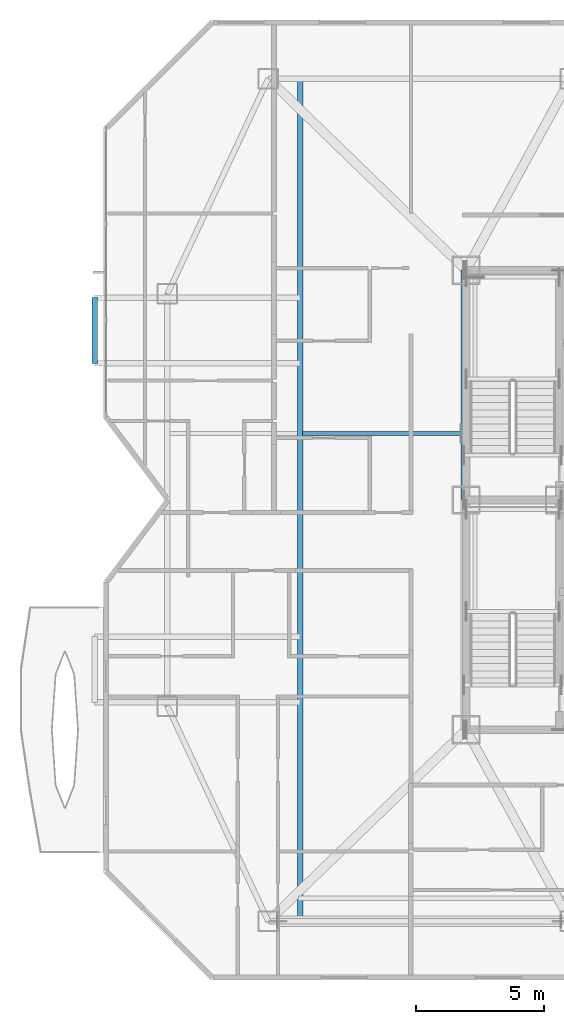
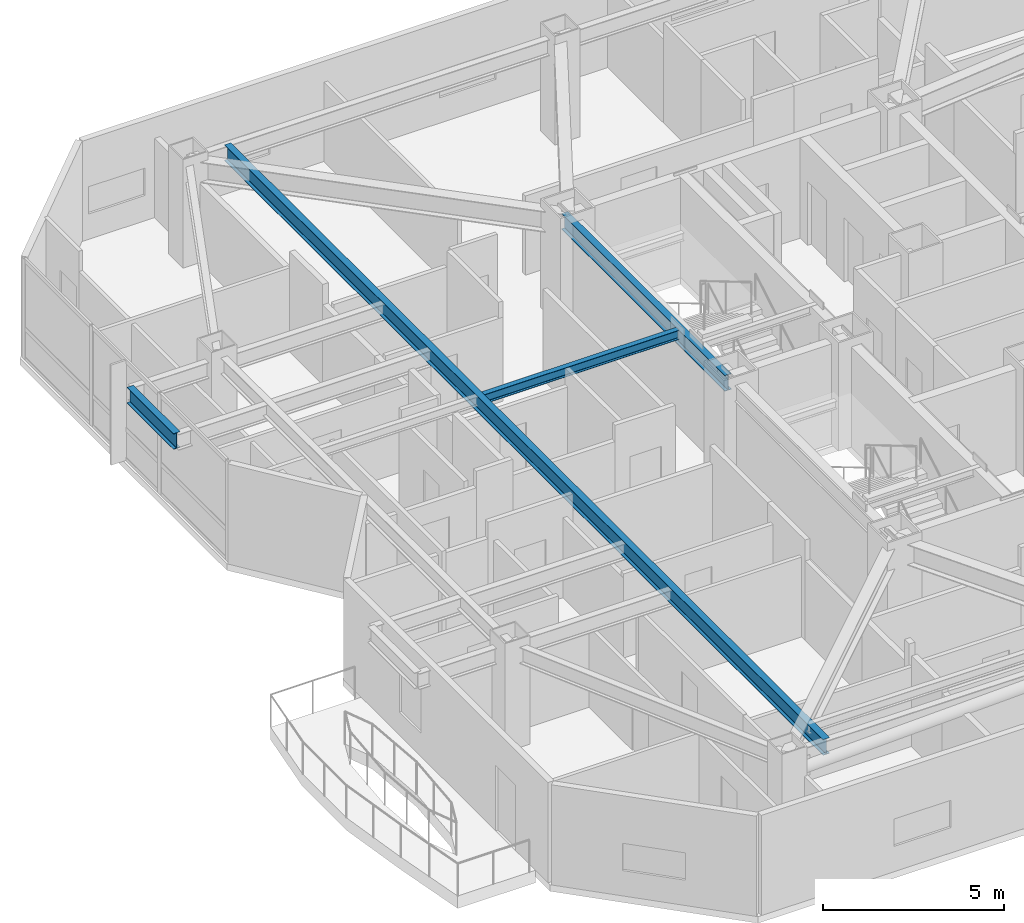
# One storey, part 3 of 20: 4 beams.
"""IFC4 building model written with IfcOpenShell, lengths in metres."""

from ifc_helpers import new_model, si_unit, direction, frame, origin, origin_2d, place, context, subcontext, project, spatial, i_section, extrude, material, material_profile, profile_set, type_object, element, save


model = new_model("IFC4")

# Units and contexts
model_context = context("Model", 3, precision=1e-05, world=origin(), true_north=direction((0.0, 1.0)))
body_context = subcontext(model_context, "Body", "Model", "MODEL_VIEW")
ifc_project = project(units=[si_unit("LENGTHUNIT", "METRE"), si_unit("AREAUNIT", "SQUARE_METRE"), si_unit("VOLUMEUNIT", "CUBIC_METRE"), si_unit("PLANEANGLEUNIT", "RADIAN"), si_unit("MASSUNIT", "GRAM", prefix="KILO")], contexts=[model_context])

# Site, building, storey
site_placement = place(None, origin())
site = spatial("IfcSite", under=ifc_project, at=site_placement, CompositionType="ELEMENT")
building_placement = place(site_placement, origin())
building = spatial("IfcBuilding", under=site, at=building_placement, Name="Khamvora Tower", CompositionType="ELEMENT")
storey_placement = place(building_placement, frame((0.0, 0.0, 203.35009765625)))
storey = spatial("IfcBuildingStorey", under=building, at=storey_placement, Name="L52", CompositionType="ELEMENT", Elevation=203.35009765625)

# Beams
ifc_material = material(Name="Steel S355", Category="steel")
ifc_material_profile_1 = material_profile(ifc_material, i_section(OverallWidth=0.166015625, OverallDepth=0.31298828125, WebThickness=0.007080078125, FlangeThickness=0.010986328125, FilletRadius=0.010009765625, at=origin_2d()), Name="W310x45")
ifc_profile_set_1 = profile_set([ifc_material_profile_1], Name="Steel S355")
beam_type_1 = type_object("IfcBeamType", Name="BM-JS-W310x45", PredefinedType="JOIST", material=ifc_profile_set_1)
beam_1_placement = place(storey_placement, frame((22.59912109375, 30.60009765625, 3.2138671875), z_axis=(1.0, 0.0, 0.0), x_axis=(0.0, 1.0, 0.0)))
element("IfcBeam", 1, at=beam_1_placement, inside=storey, type_object=beam_type_1, Name="L52 secondary floor joist 05", PredefinedType="JOIST", context=body_context, shape_type="SweptSolid", body=[
    extrude(i_section(OverallWidth=0.166015625, OverallDepth=0.31298828125, WebThickness=0.007080078125, FlangeThickness=0.010986328125, FilletRadius=0.010009765625, at=origin_2d()), origin(), (0.0, 0.0, 1.0), 6.200927734375),
])
ifc_material_profile_2 = material_profile(ifc_material, i_section(OverallWidth=0.208984375, OverallDepth=0.532958984375, WebThickness=0.010009765625, FlangeThickness=0.01611328125, FilletRadius=0.013916015625, at=origin_2d()), Name="W530x92")
ifc_profile_set_2 = profile_set([ifc_material_profile_2], Name="Steel S355")
beam_type_2 = type_object("IfcBeamType", Name="BM-SP-W530x92", PredefinedType="SPANDREL", material=ifc_profile_set_2)
beam_2_placement = place(storey_placement, frame((28.89990234375, 28.0, 3.102783203125), z_axis=(0.0, 1.0, 0.0), x_axis=(-1.0, 0.0, 0.0)))
element("IfcBeam", 2, at=beam_2_placement, inside=storey, type_object=beam_type_2, Name="L52 core spine girder WN", PredefinedType="SPANDREL", context=body_context, shape_type="SweptSolid", body=[
    extrude(i_section(OverallWidth=0.208984375, OverallDepth=0.532958984375, WebThickness=0.010009765625, FlangeThickness=0.01611328125, FilletRadius=0.013916015625, at=origin_2d()), origin(), (0.0, 0.0, 1.0), 9.0),
])
beam_3_placement = place(storey_placement, frame((22.5, 11.5, 3.102783203125), z_axis=(0.0, 1.0, 0.0), x_axis=(-1.0, 0.0, 0.0)))
element("IfcBeam", 3, at=beam_3_placement, inside=storey, type_object=beam_type_2, Name="L52 gallery back-span collector girder W", PredefinedType="SPANDREL", context=body_context, shape_type="SweptSolid", body=[
    extrude(i_section(OverallWidth=0.208984375, OverallDepth=0.532958984375, WebThickness=0.010009765625, FlangeThickness=0.01611328125, FilletRadius=0.013916015625, at=origin_2d()), origin(), (0.0, 0.0, 1.0), 33.0),
])
beam_4_placement = place(storey_placement, frame((14.449951171875, 33.35009765625, 2.9638671875), z_axis=(0.0, 1.0, 0.0), x_axis=(-1.0, 0.0, 0.0)))
element("IfcBeam", 4, at=beam_4_placement, inside=storey, type_object=beam_type_2, Name="L52 external gallery edge header beam L53-WL2", PredefinedType="SPANDREL", context=body_context, shape_type="SweptSolid", body=[
    extrude(i_section(OverallWidth=0.208984375, OverallDepth=0.532958984375, WebThickness=0.010009765625, FlangeThickness=0.01611328125, FilletRadius=0.013916015625, at=origin_2d()), origin(), (0.0, 0.0, 1.0), 2.574951171875),
])

save(model, "model.ifc")
